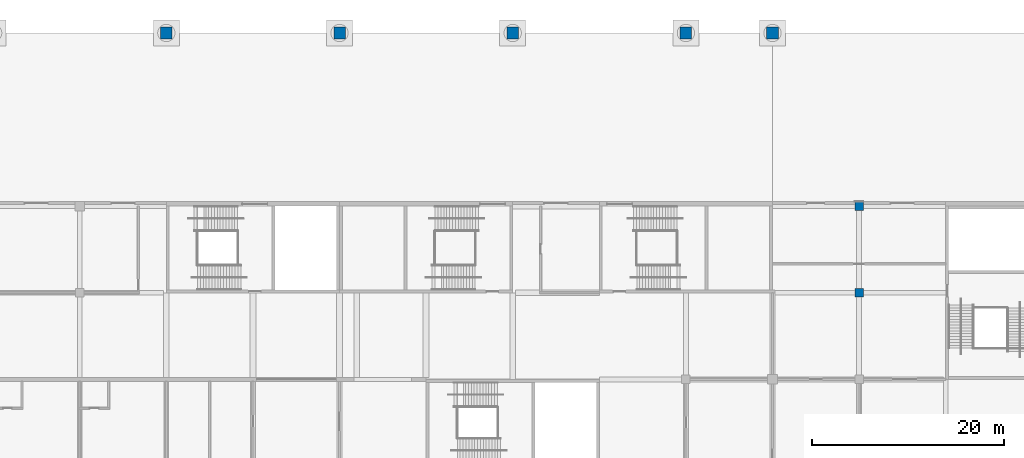
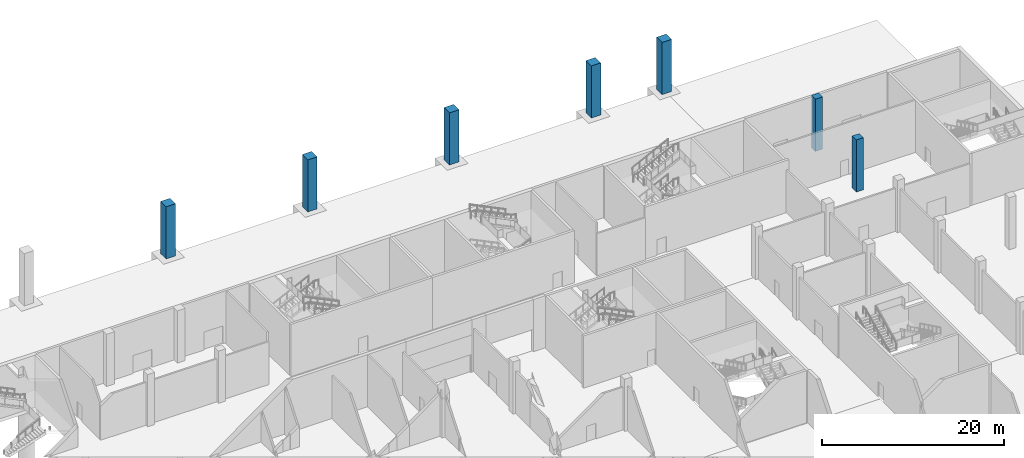
# One storey, part 7 of 92: 7 columns.
"""IFC4 building model written with IfcOpenShell, lengths in metres."""

import ifcopenshell
import ifcopenshell.guid

model = None  # the IFC model being written
_history = None  # IfcOwnerHistory: only IFC2X3 demands one
_inside = {}  # id of a spatial element -> (the spatial element, [elements in it])
_under = {}  # id of a project, library or spatial element -> (it, [spatial elements below it])
_declared = {}  # id of a project -> (the project, [libraries it declares])
_typed = {}  # id of a type object -> (the type object, [elements of that type])
_made_of = {}  # id of a material, layer set ... -> (it, [elements and type objects made of it])


def new_model(schema):
    """Start an empty IFC model of exactly this schema.

    Asked for "IFC4X3", IfcOpenShell would pick the latest addendum, in which some entities
    have other attributes; the version numbers below select the first issue.
    IFC2X3 requires an IfcOwnerHistory on every rooted entity: one is made here for all.
    """
    global model, _history
    if schema == "IFC4X3":
        model = ifcopenshell.file(schema_version=(4, 3, 0, 0))
    else:
        model = ifcopenshell.file(schema=schema)
    _inside.clear()
    _under.clear()
    _declared.clear()
    _typed.clear()
    _made_of.clear()
    _history = None
    if model.schema == "IFC2X3":
        org = make("IfcOrganization", Name="unknown")
        user = make(
            "IfcPersonAndOrganization",
            ThePerson=make("IfcPerson", FamilyName="unknown"),
            TheOrganization=org,
        )
        app = make(
            "IfcApplication",
            ApplicationDeveloper=org,
            Version="unknown",
            ApplicationFullName="unknown",
            ApplicationIdentifier="unknown",
        )
        _history = make(
            "IfcOwnerHistory",
            OwningUser=user,
            OwningApplication=app,
            ChangeAction="ADDED",
            CreationDate=0,
        )
    return model


def make(cls, **values):
    """One entity of the class cls with the attributes given. An attribute that is None is left unset."""
    return model.create_entity(
        cls, **{name: value for name, value in values.items() if value is not None}
    )


def rooted(cls, **values):
    """An entity with a GlobalId (a new one), such as an element, a storey or a relation."""
    return make(cls, GlobalId=ifcopenshell.guid.new(), OwnerHistory=_history, **values)


def si_unit(unit_type, name, prefix=None):
    """IfcSIUnit, for example si_unit("LENGTHUNIT", "METRE", prefix="MILLI")."""
    return make("IfcSIUnit", UnitType=unit_type, Prefix=prefix, Name=name)


def assignment(units):
    """IfcUnitAssignment: the units of a project."""
    return None if units is None else make("IfcUnitAssignment", Units=units)


def point(xyz):
    """IfcCartesianPoint."""
    return None if xyz is None else make("IfcCartesianPoint", Coordinates=xyz)


def direction(xyz):
    """IfcDirection."""
    return None if xyz is None else make("IfcDirection", DirectionRatios=xyz)


def frame(location, z_axis=None, x_axis=None):
    """IfcAxis2Placement3D, a coordinate frame: its origin and axes. An axis left out is left unset."""
    return make(
        "IfcAxis2Placement3D",
        Location=point(location),
        Axis=direction(z_axis),
        RefDirection=direction(x_axis),
    )


def frame_2d(location, x_axis=None):
    """IfcAxis2Placement2D, a coordinate frame in the plane: its origin and x axis."""
    return make(
        "IfcAxis2Placement2D", Location=point(location), RefDirection=direction(x_axis)
    )


def origin():
    """The frame at (0, 0, 0) with its axes left unset."""
    return frame((0.0, 0.0, 0.0))


def origin_2d():
    """The frame at (0, 0) in the plane with its x axis left unset."""
    return frame_2d((0.0, 0.0))


def place(relative_to, where):
    """IfcLocalPlacement: puts the frame where relative to a parent placement (None: the world)."""
    return make(
        "IfcLocalPlacement", PlacementRelTo=relative_to, RelativePlacement=where
    )


def context(
    kind, dimensions, precision=None, world=None, true_north=None, identifier=None
):
    """IfcGeometricRepresentationContext, for example the 3D "Model" context."""
    return make(
        "IfcGeometricRepresentationContext",
        ContextIdentifier=identifier,
        ContextType=kind,
        CoordinateSpaceDimension=dimensions,
        Precision=precision,
        WorldCoordinateSystem=world,
        TrueNorth=true_north,
    )


def subcontext(parent, identifier, kind, view, scale=None):
    """IfcGeometricRepresentationSubContext, for example "Body" below "Model"."""
    return make(
        "IfcGeometricRepresentationSubContext",
        ContextIdentifier=identifier,
        ContextType=kind,
        ParentContext=parent,
        TargetScale=scale,
        TargetView=view,
    )


def project(units=None, contexts=None):
    """IfcProject with its units and contexts."""
    return rooted(
        "IfcProject",
        Name="project",
        RepresentationContexts=contexts,
        UnitsInContext=assignment(units),
    )


def spatial(cls, under=None, at=None, **own):
    """A site, building, storey or space (cls), placed at a placement, below another one or the project."""
    s = rooted(cls, ObjectPlacement=at, **own)
    if under is not None:
        _under.setdefault(under.id(), (under, []))[1].append(s)
    return s


def profile(cls, at=None, kind="AREA", **sizes):
    """A parametric profile (cls). Its sizes go by their IFC names, for example OverallWidth=200.0."""
    return make(cls, ProfileType=kind, Position=at, **sizes)


def rectangle(**sizes):
    """IfcRectangleProfileDef."""
    return profile("IfcRectangleProfileDef", **sizes)


def extrude(swept, where, along, depth):
    """IfcExtrudedAreaSolid: the profile swept, set in the frame where, extruded along a direction by depth."""
    return make(
        "IfcExtrudedAreaSolid",
        SweptArea=swept,
        Position=where,
        ExtrudedDirection=direction(along),
        Depth=depth,
    )


def shape(context_of_items, identifier, shape_type, items):
    """IfcShapeRepresentation: the items that make up one representation, for example the "Body"."""
    return make(
        "IfcShapeRepresentation",
        ContextOfItems=context_of_items,
        RepresentationIdentifier=identifier,
        RepresentationType=shape_type,
        Items=items,
    )


def material(Name=None, Category=None):
    """IfcMaterial."""
    return make("IfcMaterial", Name=Name, Category=Category)


def material_profile(
    of_material, cross_section, Name=None, Category=None, Priority=None
):
    """IfcMaterialProfile: a cross section and its material."""
    return make(
        "IfcMaterialProfile",
        Name=Name,
        Material=of_material,
        Profile=cross_section,
        Priority=Priority,
        Category=Category,
    )


def profile_set(profiles, Name=None, composite=None):
    """IfcMaterialProfileSet."""
    return make(
        "IfcMaterialProfileSet",
        Name=Name,
        MaterialProfiles=profiles,
        CompositeProfile=composite,
    )


def made_of(thing, what):
    """Note that an element or type object is made of a material, layer set ...; save() writes the relation."""
    if what is not None:
        _made_of.setdefault(what.id(), (what, []))[1].append(thing)
    return thing


def type_object(cls, material=None, **own):
    """A type object (cls), such as IfcWallType, which elements share."""
    return made_of(rooted(cls, **own), material)


def element(
    cls,
    number,
    at=None,
    inside=None,
    cuts=None,
    type_object=None,
    material=None,
    context=None,
    identifier="Body",
    shape_type=None,
    held_by="IfcProductDefinitionShape",
    body=None,
    shapes=None,
    **own,
):
    """One element of the class cls, such as IfcWall. Its Tag is "e" and its number.

    at: its placement. inside: the storey or other place that contains it. cuts: it is an
    opening in that element (IfcRelVoidsElement). A single representation is given by context,
    identifier, shape_type and body (its items); several are given by shapes. held_by: the class
    of the entity that holds the representations. save() writes the other relations.
    """
    e = rooted(cls, Tag="e%d" % number, ObjectPlacement=at, **own)
    if body is not None:
        shapes = [shape(context, identifier, shape_type, body)]
    if shapes is not None:
        e.Representation = make(held_by, Representations=shapes)
    if inside is not None:
        _inside.setdefault(inside.id(), (inside, []))[1].append(e)
    if cuts is not None:
        rooted(
            "IfcRelVoidsElement", RelatingBuildingElement=cuts, RelatedOpeningElement=e
        )
    if type_object is not None:
        _typed.setdefault(type_object.id(), (type_object, []))[1].append(e)
    return made_of(e, material)


def aggregate(whole, parts):
    """IfcRelAggregates: a whole, such as a stair, and the parts it consists of."""
    return rooted("IfcRelAggregates", RelatingObject=whole, RelatedObjects=parts)


def save(model, path):
    """Write the relations noted so far, then the file.

    IfcRelAggregates (storeys below a building ...), IfcRelContainedInSpatialStructure (elements
    in a storey), IfcRelDefinesByType, IfcRelAssociatesMaterial and IfcRelDeclares: one each for
    every whole, place, type object, material and project.
    """
    for whole, parts in _under.values():
        aggregate(whole, parts)
    for where, things in _inside.values():
        rooted(
            "IfcRelContainedInSpatialStructure",
            RelatedElements=things,
            RelatingStructure=where,
        )
    for kind, things in _typed.values():
        rooted("IfcRelDefinesByType", RelatedObjects=things, RelatingType=kind)
    for what, things in _made_of.values():
        rooted("IfcRelAssociatesMaterial", RelatedObjects=things, RelatingMaterial=what)
    for by, libraries in _declared.values():
        rooted("IfcRelDeclares", RelatingContext=by, RelatedDefinitions=libraries)
    model.write(path)


model = new_model("IFC4")

# Units and contexts
model_context = context("Model", 3, precision=1e-05, world=origin(), true_north=direction((0.0, 1.0)))
body_context = subcontext(model_context, "Body", "Model", "MODEL_VIEW")
ifc_project = project(units=[si_unit("LENGTHUNIT", "METRE"), si_unit("AREAUNIT", "SQUARE_METRE"), si_unit("VOLUMEUNIT", "CUBIC_METRE"), si_unit("PLANEANGLEUNIT", "RADIAN"), si_unit("MASSUNIT", "GRAM", prefix="KILO")], contexts=[model_context])

# Site, building, storey
site_placement = place(None, origin())
site = spatial("IfcSite", under=ifc_project, at=site_placement, CompositionType="ELEMENT")
building_placement = place(site_placement, origin())
building = spatial("IfcBuilding", under=site, at=building_placement, Name="Silverbay Arena", CompositionType="ELEMENT")
storey_placement = place(building_placement, origin())
storey = spatial("IfcBuildingStorey", under=building, at=storey_placement, Name="L00", CompositionType="ELEMENT", Elevation=0.0)

# Columns
ifc_material_1 = material(Name="Concrete Grade 60", Category="concrete")
ifc_material_profile_1 = material_profile(ifc_material_1, rectangle(XDim=1.199951171875, YDim=1.199951171875, at=origin_2d()), Name="RC 1200x1200")
ifc_profile_set_1 = profile_set([ifc_material_profile_1], Name="Concrete Grade 60")
column_type_1 = type_object("IfcColumnType", Name="RC column 1200x1200", PredefinedType="COLUMN", material=ifc_profile_set_1)
for number, where, z_axis, x_axis, name in (
    (1, (144.0, 162.0, 0.0), (0.0, 0.0, 1.0), (1.0, 0.0, 0.0), "Column 17/U L00"),
    (2, (162.0, 162.0, 0.0), (0.0, 0.0, 1.0), (1.0, 0.0, 0.0), "Column 19/U L00"),
    (3, (180.0, 162.0, 0.0), (0.0, 0.0, 1.0), (1.0, 0.0, 0.0), "Column 21/U L00"),
    (4, (198.0, 162.0, 0.0), (0.0, 0.0, 1.0), (1.0, 0.0, 0.0), "Column 23/U L00"),
    (5, (207.0, 162.0, 0.0), (0.0, 0.0, 1.0), (1.0, 0.0, 0.0), "Column 24/U L00"),
):
    element("IfcColumn", number, at=place(storey_placement, frame(where, z_axis=z_axis, x_axis=x_axis)), inside=storey, type_object=column_type_1, Name=name, PredefinedType="COLUMN", context=body_context, shape_type="SweptSolid", body=[
        extrude(rectangle(XDim=1.199951171875, YDim=1.199951171875, at=origin_2d()), origin(), (0.0, 0.0, 1.0), 7.0),
    ])
ifc_material_2 = material(Name="Concrete Grade C45", Category="concrete")
ifc_material_profile_2 = material_profile(ifc_material_2, rectangle(XDim=0.89990234375, YDim=0.89990234375, at=origin_2d()), Name="RC 900x900")
ifc_profile_set_2 = profile_set([ifc_material_profile_2], Name="Concrete Grade C45")
column_type_2 = type_object("IfcColumnType", Name="RC column 900x900", PredefinedType="COLUMN", material=ifc_profile_set_2)
for number, where, z_axis, x_axis, name in (
    (6, (216.0, 135.0, 0.0), (0.0, 0.0, 1.0), (1.0, 0.0, 0.0), "Column 25/R L00"),
    (7, (216.0, 144.0, 0.0), (0.0, 0.0, 1.0), (1.0, 0.0, 0.0), "Column 25/S L00"),
):
    element("IfcColumn", number, at=place(storey_placement, frame(where, z_axis=z_axis, x_axis=x_axis)), inside=storey, type_object=column_type_2, Name=name, PredefinedType="COLUMN", context=body_context, shape_type="SweptSolid", body=[
        extrude(rectangle(XDim=0.89990234375, YDim=0.89990234375, at=origin_2d()), origin(), (0.0, 0.0, 1.0), 7.0),
    ])

save(model, "model.ifc")
